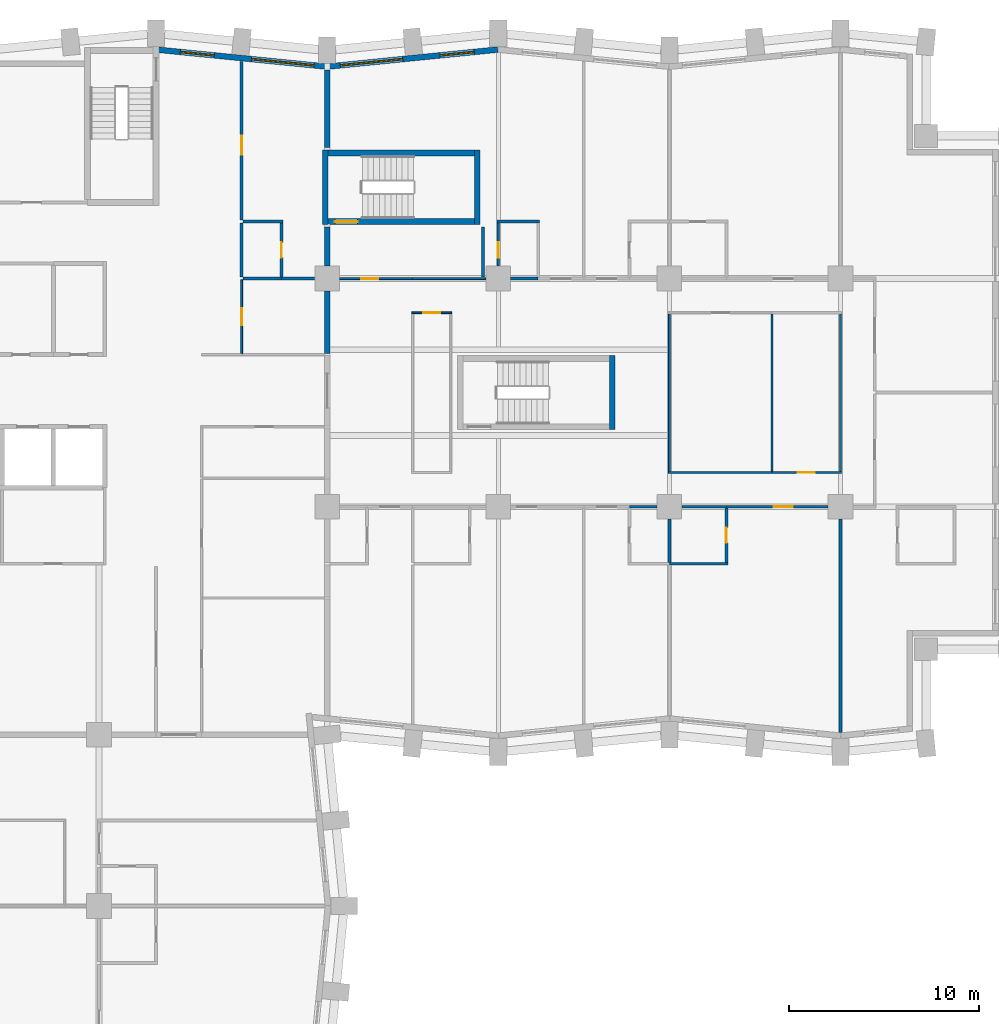
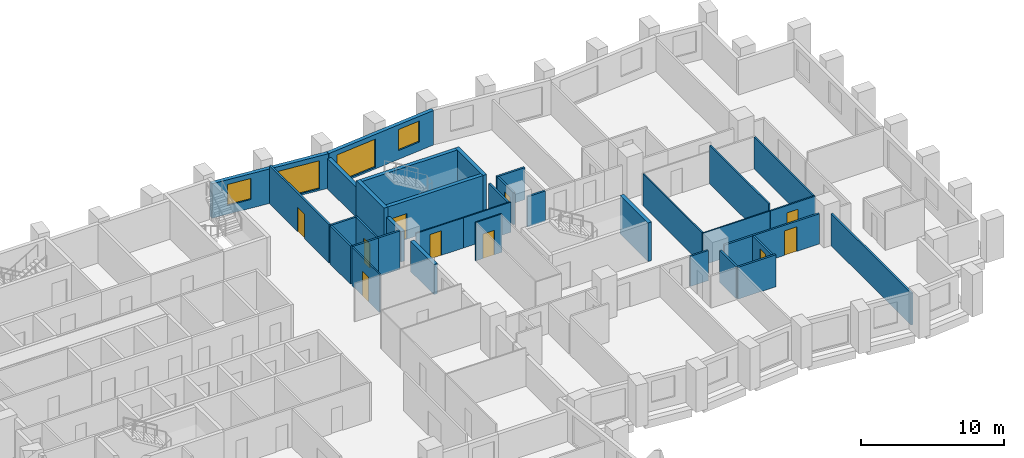
# One storey, part 8 of 12: 36 walls, 10 doors, 4 windows, 14 openings.
"""IFC4 building model written with IfcOpenShell, lengths in metres."""

from ifc_helpers import new_model, si_unit, direction, frame, frame_2d, origin, place, context, subcontext, project, spatial, rectangle, extrude, material, layer, layer_set, type_object, element, fill, save


model = new_model("IFC4")

# Units and contexts
model_context = context("Model", 3, precision=1e-05, world=origin(), true_north=direction((0.0, 1.0)))
body_context = subcontext(model_context, "Body", "Model", "MODEL_VIEW")
ifc_project = project(units=[si_unit("LENGTHUNIT", "METRE"), si_unit("AREAUNIT", "SQUARE_METRE"), si_unit("VOLUMEUNIT", "CUBIC_METRE"), si_unit("PLANEANGLEUNIT", "RADIAN"), si_unit("MASSUNIT", "GRAM", prefix="KILO")], contexts=[model_context])

# Site, building, storey
site_placement = place(None, origin())
site = spatial("IfcSite", under=ifc_project, at=site_placement, CompositionType="ELEMENT")
building_placement = place(site_placement, origin())
building = spatial("IfcBuilding", under=site, at=building_placement, Name="Brondeck Convention Tower", CompositionType="ELEMENT")
storey_placement = place(building_placement, frame((0.0, 0.0, 55.5)))
storey = spatial("IfcBuildingStorey", under=building, at=storey_placement, Name="L11", CompositionType="ELEMENT", Elevation=55.5)

# Walls
ifc_material_1 = material(Name="Concrete compartment wall C30/37", Category="concrete")
ifc_layer_1 = layer(ifc_material_1, 0.300048828125)
ifc_layer_set_1 = layer_set([ifc_layer_1], Name="Compartment wall 300")
wall_type_1 = type_object("IfcWallType", Name="Compartment wall 300", PredefinedType="PARTITIONING", material=ifc_layer_set_1)
wall_1_placement = place(storey_placement, frame((36.0, 50.344970703125, 0.0), z_axis=(0.0, 0.0, 1.0), x_axis=(0.0, -1.0, 0.0)))
element("IfcWall", 1, at=wall_1_placement, inside=storey, type_object=wall_type_1, Name="FLR-L11-W100", PredefinedType="PARTITIONING", context=body_context, shape_type="SweptSolid", body=[
    extrude(rectangle(XDim=3.294921875, YDim=0.300048828125, at=frame_2d((1.6474609375, 0.0))), origin(), (0.0, 0.0, 1.0), 2.580078125),
])
wall_2_placement = place(storey_placement, frame((36.0, 53.699951171875, 0.0), z_axis=(0.0, 0.0, 1.0), x_axis=(0.0, -1.0, 0.0)))
element("IfcWall", 2, at=wall_2_placement, inside=storey, type_object=wall_type_1, Name="FLR-L11-W117", PredefinedType="PARTITIONING", context=body_context, shape_type="SweptSolid", body=[
    extrude(rectangle(XDim=2.044921875, YDim=0.300048828125, at=frame_2d((1.0224609375, 0.0))), origin(), (0.0, 0.0, 1.0), 2.580078125),
])
wall_3_placement = place(storey_placement, frame((36.0, 61.97509765625, 0.0), z_axis=(0.0, 0.0, 1.0), x_axis=(0.0, -1.0, 0.0)))
element("IfcWall", 3, at=wall_3_placement, inside=storey, type_object=wall_type_1, Name="FLR-L11-W127", PredefinedType="PARTITIONING", context=body_context, shape_type="SweptSolid", body=[
    extrude(rectangle(XDim=4.0751953125, YDim=0.300048828125, at=frame_2d((2.03759765625, 0.0))), origin(), (0.0, 0.0, 1.0), 2.580078125),
])

# Wall, openings, windows
ifc_material_2 = material(Name="Precast concrete C50/60 bronze finish", Category="concrete")
ifc_layer_2 = layer(ifc_material_2, 0.070068359375, Name="Bronze precast facing")
ifc_material_3 = material(Name="Mineral wool")
ifc_layer_3 = layer(ifc_material_3, 0.159912109375, Name="Insulation")
ifc_material_4 = material(Name="Concrete C35/45", Category="concrete")
ifc_layer_4 = layer(ifc_material_4, 0.070068359375, Name="Backing")
ifc_layer_set_2 = layer_set([ifc_layer_2, ifc_layer_3, ifc_layer_4], Name="External infill wall, precast concrete C50/60 bronze facing")
wall_type_2 = type_object("IfcWallType", Name="External infill wall, precast concrete C50/60 bronze facing", PredefinedType="SOLIDWALL", material=ifc_layer_set_2)
wall_4_placement = place(storey_placement, frame((35.985107421875, 62.144287109375, 0.0), z_axis=(0.0, 0.0, 1.0), x_axis=(0.995037993253, 0.099495688264, 0.0)))
wall_4 = element("IfcWall", 4, at=wall_4_placement, inside=storey, type_object=wall_type_2, Name="ENV-EW-L11-P0-A-N-09", PredefinedType="SOLIDWALL", context=body_context, shape_type="SweptSolid", body=[
    extrude(rectangle(XDim=9.030029296875, YDim=0.300048828125, at=frame_2d((4.51513671875, 0.0))), origin(), (0.0, 0.0, 1.0), 2.949951171875),
])
opening_1_placement = place(wall_4_placement, frame((0.711181640625, 0.0, 0.14990234375)))
opening_1 = element("IfcOpeningElement", 5, at=opening_1_placement, cuts=wall_4, Name="Opening W9", PredefinedType="OPENING", context=body_context, shape_type="SweptSolid", body=[
    extrude(rectangle(XDim=3.300048828125, YDim=2.39990234375, at=frame_2d((1.64990234375, 1.199951171875))), frame((0.0, 0.159912109375, 0.0), z_axis=(0.0, -1.0, 0.0), x_axis=(1.0, 0.0, 0.0)), (0.0, 0.0, 1.0), 0.320068359375),
])
opening_2_placement = place(wall_4_placement, frame((5.983642578125, 0.0, 0.75)))
opening_2 = element("IfcOpeningElement", 6, at=opening_2_placement, cuts=wall_4, Name="Opening W10", PredefinedType="OPENING", context=body_context, shape_type="SweptSolid", body=[
    extrude(rectangle(XDim=1.800048828125, YDim=1.800048828125, at=frame_2d((0.89990234375, 0.89990234375))), frame((0.0, 0.159912109375, 0.0), z_axis=(0.0, -1.0, 0.0), x_axis=(1.0, 0.0, 0.0)), (0.0, 0.0, 1.0), 0.320068359375),
])
ifc_material_5 = material(Name="Bronze tinted double glazing", Category="glass")
window_type_1 = type_object("IfcWindowType", Name="Glazed flute window, bronze tinted", PartitioningType="SINGLE_PANEL", PredefinedType="WINDOW", material=ifc_material_5)
window_1_placement = place(opening_1_placement, origin())
window_1 = element("IfcWindow", 7, at=window_1_placement, inside=storey, type_object=window_type_1, Name="ENV-WN-L11-P0-A-N-08", OverallHeight=2.39990234375, OverallWidth=3.300048828125, PartitioningType="SINGLE_PANEL", PredefinedType="WINDOW", context=body_context, shape_type="SweptSolid", body=[
    extrude(rectangle(XDim=3.300048828125, YDim=2.39990234375, at=frame_2d((1.64990234375, 1.199951171875))), frame((0.0, 0.030029296875, 0.0), z_axis=(0.0, -1.0, 0.0), x_axis=(1.0, 0.0, 0.0)), (0.0, 0.0, 1.0), 0.06005859375),
])
fill(opening_1, window_1)
window_type_2 = type_object("IfcWindowType", Name="Punched window, bronze tinted", PartitioningType="SINGLE_PANEL", PredefinedType="WINDOW", material=ifc_material_5)
window_2_placement = place(opening_2_placement, origin())
window_2 = element("IfcWindow", 8, at=window_2_placement, inside=storey, type_object=window_type_2, Name="ENV-WN-L11-P0-A-N-09", OverallHeight=1.800048828125, OverallWidth=1.800048828125, PartitioningType="SINGLE_PANEL", PredefinedType="WINDOW", context=body_context, shape_type="SweptSolid", body=[
    extrude(rectangle(XDim=1.800048828125, YDim=1.800048828125, at=frame_2d((0.89990234375, 0.89990234375))), frame((0.0, 0.030029296875, 0.0), z_axis=(0.0, -1.0, 0.0), x_axis=(1.0, 0.0, 0.0)), (0.0, 0.0, 1.0), 0.06005859375),
])
fill(opening_2, window_2)

wall_5_placement = place(storey_placement, frame((27.064697265625, 63.039306640625, 0.0), z_axis=(0.0, 0.0, 1.0), x_axis=(0.995036379926, -0.099511821531, 0.0)))
wall_5 = element("IfcWall", 9, at=wall_5_placement, inside=storey, type_object=wall_type_2, Name="ENV-EW-L11-P0-A-N-07", PredefinedType="SOLIDWALL", context=body_context, shape_type="SweptSolid", body=[
    extrude(rectangle(XDim=8.949951171875, YDim=0.300048828125, at=frame_2d((4.47509765625, 0.0))), origin(), (0.0, 0.0, 1.0), 2.949951171875),
])
opening_3_placement = place(wall_5_placement, frame((1.211181640625, 0.0, 0.75)))
opening_3 = element("IfcOpeningElement", 10, at=opening_3_placement, cuts=wall_5, Name="Opening W10", PredefinedType="OPENING", context=body_context, shape_type="SweptSolid", body=[
    extrude(rectangle(XDim=1.800048828125, YDim=1.800048828125, at=frame_2d((0.89990234375, 0.89990234375))), frame((0.0, 0.159912109375, 0.0), z_axis=(0.0, -1.0, 0.0), x_axis=(1.0, 0.0, 0.0)), (0.0, 0.0, 1.0), 0.320068359375),
])
opening_4_placement = place(wall_5_placement, frame((4.983642578125, 0.0, 0.14990234375)))
opening_4 = element("IfcOpeningElement", 11, at=opening_4_placement, cuts=wall_5, Name="Opening W9", PredefinedType="OPENING", context=body_context, shape_type="SweptSolid", body=[
    extrude(rectangle(XDim=3.300048828125, YDim=2.39990234375, at=frame_2d((1.64990234375, 1.199951171875))), frame((0.0, 0.159912109375, 0.0), z_axis=(0.0, -1.0, 0.0), x_axis=(1.0, 0.0, 0.0)), (0.0, 0.0, 1.0), 0.320068359375),
])
window_3_placement = place(opening_4_placement, origin())
window_3 = element("IfcWindow", 12, at=window_3_placement, inside=storey, type_object=window_type_1, Name="ENV-WN-L11-P0-A-N-07", OverallHeight=2.39990234375, OverallWidth=3.300048828125, PartitioningType="SINGLE_PANEL", PredefinedType="WINDOW", context=body_context, shape_type="SweptSolid", body=[
    extrude(rectangle(XDim=3.300048828125, YDim=2.39990234375, at=frame_2d((1.64990234375, 1.199951171875))), frame((0.0, 0.030029296875, 0.0), z_axis=(0.0, -1.0, 0.0), x_axis=(1.0, 0.0, 0.0)), (0.0, 0.0, 1.0), 0.06005859375),
])
fill(opening_4, window_3)
window_4_placement = place(opening_3_placement, origin())
window_4 = element("IfcWindow", 13, at=window_4_placement, inside=storey, type_object=window_type_2, Name="ENV-WN-L11-P0-A-N-06", OverallHeight=1.800048828125, OverallWidth=1.800048828125, PartitioningType="SINGLE_PANEL", PredefinedType="WINDOW", context=body_context, shape_type="SweptSolid", body=[
    extrude(rectangle(XDim=1.800048828125, YDim=1.800048828125, at=frame_2d((0.89990234375, 0.89990234375))), frame((0.0, 0.030029296875, 0.0), z_axis=(0.0, -1.0, 0.0), x_axis=(1.0, 0.0, 0.0)), (0.0, 0.0, 1.0), 0.06005859375),
])
fill(opening_3, window_4)

# Wall
ifc_material_6 = material(Name="Double gypsum board acoustic wall")
ifc_layer_5 = layer(ifc_material_6, 0.14990234375)
ifc_layer_set_3 = layer_set([ifc_layer_5], Name="Guest room party wall 150")
wall_type_3 = type_object("IfcWallType", Name="Guest room party wall 150", PredefinedType="PARTITIONING", material=ifc_layer_set_3)
wall_6_placement = place(storey_placement, frame((54.0, 36.0, 0.0), z_axis=(0.0, 0.0, 1.0), x_axis=(1.0, 0.0, 0.0)))
element("IfcWall", 14, at=wall_6_placement, inside=storey, type_object=wall_type_3, Name="FLR-L11-W054", PredefinedType="PARTITIONING", context=body_context, shape_type="SweptSolid", body=[
    extrude(rectangle(XDim=3.074951171875, YDim=0.14990234375, at=frame_2d((1.53759765625, 0.0))), origin(), (0.0, 0.0, 1.0), 2.72998046875),
])

# Wall, opening, door
wall_7_placement = place(storey_placement, frame((57.0, 36.074951171875, 0.0), z_axis=(0.0, 0.0, 1.0), x_axis=(0.0, 1.0, 0.0)))
wall_7 = element("IfcWall", 15, at=wall_7_placement, inside=storey, type_object=wall_type_3, Name="FLR-L11-W058", PredefinedType="PARTITIONING", context=body_context, shape_type="SweptSolid", body=[
    extrude(rectangle(XDim=2.85009765625, YDim=0.14990234375, at=frame_2d((1.425048828125, 0.0))), origin(), (0.0, 0.0, 1.0), 2.580078125),
])
opening_5_placement = place(wall_7_placement, frame((1.02490234375, 0.0, 0.0)))
opening_5 = element("IfcOpeningElement", 16, at=opening_5_placement, cuts=wall_7, Name="Opening H2-015", PredefinedType="OPENING", context=body_context, shape_type="SweptSolid", body=[
    extrude(rectangle(XDim=0.800048828125, YDim=2.10009765625, at=frame_2d((0.39990234375, 1.050048828125))), frame((0.0, 0.0849609375, 0.0), z_axis=(0.0, -1.0, 0.0), x_axis=(1.0, 0.0, 0.0)), (0.0, 0.0, 1.0), 0.169921875),
])
ifc_material_7 = material(Name="Solid timber door leaf", Category="wood")
door_type_1 = type_object("IfcDoorType", Name="En-suite door 800", OperationType="NOTDEFINED", PredefinedType="DOOR", material=ifc_material_7)
door_1_placement = place(opening_5_placement, origin())
door_1 = element("IfcDoor", 17, at=door_1_placement, inside=storey, type_object=door_type_1, Name="Door H2-015", OperationType="SINGLE_SWING_RIGHT", OverallHeight=2.10009765625, OverallWidth=0.800048828125, PredefinedType="DOOR", context=body_context, shape_type="SweptSolid", body=[
    extrude(rectangle(XDim=0.800048828125, YDim=2.10009765625, at=frame_2d((0.39990234375, 1.050048828125))), frame((0.0, 0.02490234375, 0.0), z_axis=(0.0, -1.0, 0.0), x_axis=(1.0, 0.0, 0.0)), (0.0, 0.0, 1.0), 0.050048828125),
])
fill(opening_5, door_1)

# Walls
wall_8_placement = place(storey_placement, frame((54.0, 38.344970703125, 0.0), z_axis=(0.0, 0.0, 1.0), x_axis=(0.0, -1.0, 0.0)))
element("IfcWall", 18, at=wall_8_placement, inside=storey, type_object=wall_type_3, Name="FLR-L11-W061", PredefinedType="PARTITIONING", context=body_context, shape_type="SweptSolid", body=[
    extrude(rectangle(XDim=2.27001953125, YDim=0.14990234375, at=frame_2d((1.135009765625, 0.0))), origin(), (0.0, 0.0, 1.0), 2.72998046875),
])
wall_9_placement = place(storey_placement, frame((63.0, 38.344970703125, 0.0), z_axis=(0.0, 0.0, 1.0), x_axis=(0.0, -1.0, 0.0)))
element("IfcWall", 19, at=wall_9_placement, inside=storey, type_object=wall_type_3, Name="FLR-L11-W062", PredefinedType="PARTITIONING", context=body_context, shape_type="SweptSolid", body=[
    extrude(rectangle(XDim=11.219970703125, YDim=0.14990234375, at=frame_2d((5.60986328125, 0.0))), origin(), (0.0, 0.0, 1.0), 2.72998046875),
])
wall_10_placement = place(storey_placement, frame((53.344970703125, 39.0, 0.0), z_axis=(0.0, 0.0, 1.0), x_axis=(-1.0, 0.0, 0.0)))
element("IfcWall", 20, at=wall_10_placement, inside=storey, type_object=wall_type_3, Name="FLR-L11-W073", PredefinedType="PARTITIONING", context=body_context, shape_type="SweptSolid", body=[
    extrude(rectangle(XDim=1.445068359375, YDim=0.14990234375, at=frame_2d((0.72265625, 0.0))), origin(), (0.0, 0.0, 1.0), 2.580078125),
])
wall_11_placement = place(storey_placement, frame((57.0, 39.0, 0.0), z_axis=(0.0, 0.0, 1.0), x_axis=(-1.0, 0.0, 0.0)))
element("IfcWall", 21, at=wall_11_placement, inside=storey, type_object=wall_type_3, Name="FLR-L11-W074", PredefinedType="PARTITIONING", context=body_context, shape_type="SweptSolid", body=[
    extrude(rectangle(XDim=2.344970703125, YDim=0.14990234375, at=frame_2d((1.17236328125, 0.0))), origin(), (0.0, 0.0, 1.0), 2.580078125),
])

# Wall, opening, door
wall_12_placement = place(storey_placement, frame((62.344970703125, 39.0, 0.0), z_axis=(0.0, 0.0, 1.0), x_axis=(-1.0, 0.0, 0.0)))
wall_12 = element("IfcWall", 22, at=wall_12_placement, inside=storey, type_object=wall_type_3, Name="FLR-L11-W075", PredefinedType="PARTITIONING", context=body_context, shape_type="SweptSolid", body=[
    extrude(rectangle(XDim=5.344970703125, YDim=0.14990234375, at=frame_2d((2.67236328125, 0.0))), origin(), (0.0, 0.0, 1.0), 2.580078125),
])
opening_6_placement = place(wall_12_placement, frame((1.844970703125, 0.0, 0.0)))
opening_6 = element("IfcOpeningElement", 23, at=opening_6_placement, cuts=wall_12, Name="Opening H2-014", PredefinedType="OPENING", context=body_context, shape_type="SweptSolid", body=[
    extrude(rectangle(XDim=1.0, YDim=2.10009765625, at=frame_2d((0.5, 1.050048828125))), frame((0.0, 0.0849609375, 0.0), z_axis=(0.0, -1.0, 0.0), x_axis=(1.0, 0.0, 0.0)), (0.0, 0.0, 1.0), 0.169921875),
])
ifc_material_8 = material(Name="Solid timber fire door leaf", Category="wood")
door_type_2 = type_object("IfcDoorType", Name="Guest room door 1000", OperationType="NOTDEFINED", PredefinedType="DOOR", material=ifc_material_8)
door_2_placement = place(opening_6_placement, origin())
door_2 = element("IfcDoor", 24, at=door_2_placement, inside=storey, type_object=door_type_2, Name="Door H2-014", OperationType="SINGLE_SWING_RIGHT", OverallHeight=2.10009765625, OverallWidth=1.0, PredefinedType="DOOR", context=body_context, shape_type="SweptSolid", body=[
    extrude(rectangle(XDim=1.0, YDim=2.10009765625, at=frame_2d((0.5, 1.050048828125))), frame((0.0, 0.02490234375, 0.0), z_axis=(0.0, -1.0, 0.0), x_axis=(1.0, 0.0, 0.0)), (0.0, 0.0, 1.0), 0.050048828125),
])
fill(opening_6, door_2)

# Walls
wall_13_placement = place(storey_placement, frame((31.574951171875, 51.0, 0.0), z_axis=(0.0, 0.0, 1.0), x_axis=(1.0, 0.0, 0.0)))
element("IfcWall", 25, at=wall_13_placement, inside=storey, type_object=wall_type_3, Name="FLR-L11-W103", PredefinedType="PARTITIONING", context=body_context, shape_type="SweptSolid", body=[
    extrude(rectangle(XDim=2.025146484375, YDim=0.14990234375, at=frame_2d((1.0126953125, 0.0))), origin(), (0.0, 0.0, 1.0), 3.280029296875),
])
wall_14_placement = place(storey_placement, frame((33.60009765625, 51.0, 0.0), z_axis=(0.0, 0.0, 1.0), x_axis=(1.0, 0.0, 0.0)))
element("IfcWall", 26, at=wall_14_placement, inside=storey, type_object=wall_type_3, Name="FLR-L11-W104", PredefinedType="PARTITIONING", context=body_context, shape_type="SweptSolid", body=[
    extrude(rectangle(XDim=1.744873046875, YDim=0.14990234375, at=frame_2d((0.87255859375, 0.0))), origin(), (0.0, 0.0, 1.0), 3.280029296875),
])
wall_15_placement = place(storey_placement, frame((45.655029296875, 51.0, 0.0), z_axis=(0.0, 0.0, 1.0), x_axis=(1.0, 0.0, 0.0)))
element("IfcWall", 27, at=wall_15_placement, inside=storey, type_object=wall_type_3, Name="FLR-L11-W107", PredefinedType="PARTITIONING", context=body_context, shape_type="SweptSolid", body=[
    extrude(rectangle(XDim=1.445068359375, YDim=0.14990234375, at=frame_2d((0.72265625, 0.0))), origin(), (0.0, 0.0, 1.0), 2.580078125),
])

# Wall, opening, door
wall_16_placement = place(storey_placement, frame((33.60009765625, 51.074951171875, 0.0), z_axis=(0.0, 0.0, 1.0), x_axis=(0.0, 1.0, 0.0)))
wall_16 = element("IfcWall", 28, at=wall_16_placement, inside=storey, type_object=wall_type_3, Name="FLR-L11-W114", PredefinedType="PARTITIONING", context=body_context, shape_type="SweptSolid", body=[
    extrude(rectangle(XDim=2.85009765625, YDim=0.14990234375, at=frame_2d((1.425048828125, 0.0))), origin(), (0.0, 0.0, 1.0), 3.280029296875),
])
opening_7_placement = place(wall_16_placement, frame((1.02490234375, 0.0, 0.0)))
opening_7 = element("IfcOpeningElement", 29, at=opening_7_placement, cuts=wall_16, Name="Opening H2-034", PredefinedType="OPENING", context=body_context, shape_type="SweptSolid", body=[
    extrude(rectangle(XDim=0.800048828125, YDim=2.10009765625, at=frame_2d((0.39990234375, 1.050048828125))), frame((0.0, 0.0849609375, 0.0), z_axis=(0.0, -1.0, 0.0), x_axis=(1.0, 0.0, 0.0)), (0.0, 0.0, 1.0), 0.169921875),
])
door_3_placement = place(opening_7_placement, origin())
door_3 = element("IfcDoor", 30, at=door_3_placement, inside=storey, type_object=door_type_1, Name="Door H2-034", OperationType="SINGLE_SWING_LEFT", OverallHeight=2.10009765625, OverallWidth=0.800048828125, PredefinedType="DOOR", context=body_context, shape_type="SweptSolid", body=[
    extrude(rectangle(XDim=0.800048828125, YDim=2.10009765625, at=frame_2d((0.39990234375, 1.050048828125))), frame((0.0, 0.02490234375, 0.0), z_axis=(0.0, -1.0, 0.0), x_axis=(1.0, 0.0, 0.0)), (0.0, 0.0, 1.0), 0.050048828125),
])
fill(opening_7, door_3)

# Walls
wall_17_placement = place(storey_placement, frame((44.199951171875, 53.699951171875, 0.0), z_axis=(0.0, 0.0, 1.0), x_axis=(0.0, -1.0, 0.0)))
element("IfcWall", 31, at=wall_17_placement, inside=storey, type_object=wall_type_3, Name="FLR-L11-W118", PredefinedType="PARTITIONING", context=body_context, shape_type="SweptSolid", body=[
    extrude(rectangle(XDim=2.625, YDim=0.14990234375, at=frame_2d((1.3125, 0.0))), origin(), (0.0, 0.0, 1.0), 2.580078125),
])
wall_18_placement = place(storey_placement, frame((31.5, 53.925048828125, 0.0), z_axis=(0.0, 0.0, 1.0), x_axis=(0.0, -1.0, 0.0)))
element("IfcWall", 32, at=wall_18_placement, inside=storey, type_object=wall_type_3, Name="FLR-L11-W119", PredefinedType="PARTITIONING", context=body_context, shape_type="SweptSolid", body=[
    extrude(rectangle(XDim=2.85009765625, YDim=0.14990234375, at=frame_2d((1.425048828125, 0.0))), origin(), (0.0, 0.0, 1.0), 3.280029296875),
])

# Wall, opening, door
wall_19_placement = place(storey_placement, frame((45.0, 53.925048828125, 0.0), z_axis=(0.0, 0.0, 1.0), x_axis=(0.0, -1.0, 0.0)))
wall_19 = element("IfcWall", 33, at=wall_19_placement, inside=storey, type_object=wall_type_3, Name="FLR-L11-W120", PredefinedType="PARTITIONING", context=body_context, shape_type="SweptSolid", body=[
    extrude(rectangle(XDim=2.27001953125, YDim=0.14990234375, at=frame_2d((1.135009765625, 0.0))), origin(), (0.0, 0.0, 1.0), 2.72998046875),
])
opening_8_placement = place(wall_19_placement, frame((1.02490234375, 0.0, 0.0)))
opening_8 = element("IfcOpeningElement", 34, at=opening_8_placement, cuts=wall_19, Name="Opening H2-003", PredefinedType="OPENING", context=body_context, shape_type="SweptSolid", body=[
    extrude(rectangle(XDim=0.800048828125, YDim=2.10009765625, at=frame_2d((0.39990234375, 1.050048828125))), frame((0.0, 0.0849609375, 0.0), z_axis=(0.0, -1.0, 0.0), x_axis=(1.0, 0.0, 0.0)), (0.0, 0.0, 1.0), 0.169921875),
])
door_4_placement = place(opening_8_placement, origin())
door_4 = element("IfcDoor", 35, at=door_4_placement, inside=storey, type_object=door_type_1, Name="Door H2-003", OperationType="SINGLE_SWING_RIGHT", OverallHeight=2.10009765625, OverallWidth=0.800048828125, PredefinedType="DOOR", context=body_context, shape_type="SweptSolid", body=[
    extrude(rectangle(XDim=0.800048828125, YDim=2.10009765625, at=frame_2d((0.39990234375, 1.050048828125))), frame((0.0, 0.02490234375, 0.0), z_axis=(0.0, -1.0, 0.0), x_axis=(1.0, 0.0, 0.0)), (0.0, 0.0, 1.0), 0.050048828125),
])
fill(opening_8, door_4)

# Walls
wall_20_placement = place(storey_placement, frame((33.675048828125, 54.0, 0.0), z_axis=(0.0, 0.0, 1.0), x_axis=(-1.0, 0.0, 0.0)))
element("IfcWall", 36, at=wall_20_placement, inside=storey, type_object=wall_type_3, Name="FLR-L11-W123", PredefinedType="PARTITIONING", context=body_context, shape_type="SweptSolid", body=[
    extrude(rectangle(XDim=2.10009765625, YDim=0.14990234375, at=frame_2d((1.050048828125, 0.0))), origin(), (0.0, 0.0, 1.0), 3.280029296875),
])
wall_21_placement = place(storey_placement, frame((47.175048828125, 54.0, 0.0), z_axis=(0.0, 0.0, 1.0), x_axis=(-1.0, 0.0, 0.0)))
element("IfcWall", 37, at=wall_21_placement, inside=storey, type_object=wall_type_3, Name="FLR-L11-W124", PredefinedType="PARTITIONING", context=body_context, shape_type="SweptSolid", body=[
    extrude(rectangle(XDim=2.25, YDim=0.14990234375, at=frame_2d((1.125, 0.0))), origin(), (0.0, 0.0, 1.0), 2.72998046875),
])

# Wall, opening, door
wall_22_placement = place(storey_placement, frame((31.5, 62.425048828125, 0.0), z_axis=(0.0, 0.0, 1.0), x_axis=(0.0, -1.0, 0.0)))
wall_22 = element("IfcWall", 38, at=wall_22_placement, inside=storey, type_object=wall_type_3, Name="FLR-L11-W129", PredefinedType="PARTITIONING", context=body_context, shape_type="SweptSolid", body=[
    extrude(rectangle(XDim=8.35009765625, YDim=0.14990234375, at=frame_2d((4.175048828125, 0.0))), origin(), (0.0, 0.0, 1.0), 3.280029296875),
])
opening_9_placement = place(wall_22_placement, frame((3.925048828125, 0.0, 0.0)))
opening_9 = element("IfcOpeningElement", 39, at=opening_9_placement, cuts=wall_22, Name="Opening H2-033", PredefinedType="OPENING", context=body_context, shape_type="SweptSolid", body=[
    extrude(rectangle(XDim=1.0, YDim=2.10009765625, at=frame_2d((0.5, 1.050048828125))), frame((0.0, 0.0849609375, 0.0), z_axis=(0.0, -1.0, 0.0), x_axis=(1.0, 0.0, 0.0)), (0.0, 0.0, 1.0), 0.169921875),
])
door_5_placement = place(opening_9_placement, origin())
door_5 = element("IfcDoor", 40, at=door_5_placement, inside=storey, type_object=door_type_2, Name="Door H2-033", OperationType="SINGLE_SWING_LEFT", OverallHeight=2.10009765625, OverallWidth=1.0, PredefinedType="DOOR", context=body_context, shape_type="SweptSolid", body=[
    extrude(rectangle(XDim=1.0, YDim=2.10009765625, at=frame_2d((0.5, 1.050048828125))), frame((0.0, 0.02490234375, 0.0), z_axis=(0.0, -1.0, 0.0), x_axis=(1.0, 0.0, 0.0)), (0.0, 0.0, 1.0), 0.050048828125),
])
fill(opening_9, door_5)

ifc_material_9 = material(Name="Gypsum board shaft wall on steel studs", Category="steel")
ifc_layer_6 = layer(ifc_material_9, 0.125)
ifc_layer_set_4 = layer_set([ifc_layer_6], Name="Riser wall 125")
wall_type_4 = type_object("IfcWallType", Name="Riser wall 125", PredefinedType="PARTITIONING", material=ifc_layer_set_4)
wall_23_placement = place(storey_placement, frame((59.39990234375, 40.800048828125, 0.0), z_axis=(0.0, 0.0, 1.0), x_axis=(1.0, 0.0, 0.0)))
wall_23 = element("IfcWall", 41, at=wall_23_placement, inside=storey, type_object=wall_type_4, Name="FLR-L11-W083", PredefinedType="PARTITIONING", context=body_context, shape_type="SweptSolid", body=[
    extrude(rectangle(XDim=3.66259765625, YDim=0.125, at=frame_2d((1.831298828125, 0.0))), origin(), (0.0, 0.0, 1.0), 2.72998046875),
])
opening_10_placement = place(wall_23_placement, frame((1.35009765625, 0.0, 0.0)))
opening_10 = element("IfcOpeningElement", 42, at=opening_10_placement, cuts=wall_23, Name="Opening H2-018", PredefinedType="OPENING", context=body_context, shape_type="SweptSolid", body=[
    extrude(rectangle(XDim=0.89990234375, YDim=2.10009765625, at=frame_2d((0.449951171875, 1.050048828125))), frame((0.0, 0.072509765625, 0.0), z_axis=(0.0, -1.0, 0.0), x_axis=(1.0, 0.0, 0.0)), (0.0, 0.0, 1.0), 0.14501953125),
])
door_type_3 = type_object("IfcDoorType", Name="Single door 900", OperationType="NOTDEFINED", PredefinedType="DOOR", material=ifc_material_7)
door_6_placement = place(opening_10_placement, origin())
door_6 = element("IfcDoor", 43, at=door_6_placement, inside=storey, type_object=door_type_3, Name="Door H2-018", OperationType="SINGLE_SWING_RIGHT", OverallHeight=2.10009765625, OverallWidth=0.89990234375, PredefinedType="DOOR", context=body_context, shape_type="SweptSolid", body=[
    extrude(rectangle(XDim=0.89990234375, YDim=2.10009765625, at=frame_2d((0.449951171875, 1.050048828125))), frame((0.0, 0.02490234375, 0.0), z_axis=(0.0, -1.0, 0.0), x_axis=(1.0, 0.0, 0.0)), (0.0, 0.0, 1.0), 0.050048828125),
])
fill(opening_10, door_6)

# Walls
wall_24_placement = place(storey_placement, frame((63.0, 40.862548828125, 0.0), z_axis=(0.0, 0.0, 1.0), x_axis=(0.0, 1.0, 0.0)))
element("IfcWall", 44, at=wall_24_placement, inside=storey, type_object=wall_type_4, Name="FLR-L11-W084", PredefinedType="PARTITIONING", context=body_context, shape_type="SweptSolid", body=[
    extrude(rectangle(XDim=8.27490234375, YDim=0.125, at=frame_2d((4.137451171875, 0.0))), origin(), (0.0, 0.0, 1.0), 2.72998046875),
])
wall_25_placement = place(storey_placement, frame((59.39990234375, 49.137451171875, 0.0), z_axis=(0.0, 0.0, 1.0), x_axis=(0.0, -1.0, 0.0)))
element("IfcWall", 45, at=wall_25_placement, inside=storey, type_object=wall_type_4, Name="FLR-L11-W093", PredefinedType="PARTITIONING", context=body_context, shape_type="SweptSolid", body=[
    extrude(rectangle(XDim=8.27490234375, YDim=0.125, at=frame_2d((4.137451171875, 0.0))), origin(), (0.0, 0.0, 1.0), 3.280029296875),
])
ifc_material_10 = material(Name="Gypsum board partition on steel studs", Category="steel")
ifc_layer_7 = layer(ifc_material_10, 0.10009765625)
ifc_layer_set_5 = layer_set([ifc_layer_7], Name="Room partition 100")
wall_type_5 = type_object("IfcWallType", Name="Room partition 100", PredefinedType="PARTITIONING", material=ifc_layer_set_5)
wall_26_placement = place(storey_placement, frame((53.949951171875, 40.800048828125, 0.0), z_axis=(0.0, 0.0, 1.0), x_axis=(1.0, 0.0, 0.0)))
element("IfcWall", 46, at=wall_26_placement, inside=storey, type_object=wall_type_5, Name="FLR-L11-W082", PredefinedType="PARTITIONING", context=body_context, shape_type="SweptSolid", body=[
    extrude(rectangle(XDim=5.449951171875, YDim=0.10009765625, at=frame_2d((2.72509765625, 0.0))), origin(), (0.0, 0.0, 1.0), 2.72998046875),
])
wall_27_placement = place(storey_placement, frame((54.0, 49.14990234375, 0.0), z_axis=(0.0, 0.0, 1.0), x_axis=(0.0, -1.0, 0.0)))
element("IfcWall", 47, at=wall_27_placement, inside=storey, type_object=wall_type_5, Name="FLR-L11-W096", PredefinedType="PARTITIONING", context=body_context, shape_type="SweptSolid", body=[
    extrude(rectangle(XDim=8.2998046875, YDim=0.10009765625, at=frame_2d((4.14990234375, 0.0))), origin(), (0.0, 0.0, 1.0), 2.72998046875),
])

# Wall, opening, door
wall_28_placement = place(storey_placement, frame((42.550048828125, 49.199951171875, 0.0), z_axis=(0.0, 0.0, 1.0), x_axis=(-1.0, 0.0, 0.0)))
wall_28 = element("IfcWall", 48, at=wall_28_placement, inside=storey, type_object=wall_type_5, Name="FLR-L11-W097", PredefinedType="PARTITIONING", context=body_context, shape_type="SweptSolid", body=[
    extrude(rectangle(XDim=2.10009765625, YDim=0.10009765625, at=frame_2d((1.050048828125, 0.0))), origin(), (0.0, 0.0, 1.0), 3.280029296875),
])
opening_11_placement = place(wall_28_placement, frame((0.60009765625, 0.0, 0.0)))
opening_11 = element("IfcOpeningElement", 49, at=opening_11_placement, cuts=wall_28, Name="Opening H2-016", PredefinedType="OPENING", context=body_context, shape_type="SweptSolid", body=[
    extrude(rectangle(XDim=0.89990234375, YDim=2.10009765625, at=frame_2d((0.449951171875, 1.050048828125))), frame((0.0, 0.06005859375, 0.0), z_axis=(0.0, -1.0, 0.0), x_axis=(1.0, 0.0, 0.0)), (0.0, 0.0, 1.0), 0.1201171875),
])
door_7_placement = place(opening_11_placement, origin())
door_7 = element("IfcDoor", 50, at=door_7_placement, inside=storey, type_object=door_type_3, Name="Door H2-016", OperationType="SINGLE_SWING_LEFT", OverallHeight=2.10009765625, OverallWidth=0.89990234375, PredefinedType="DOOR", context=body_context, shape_type="SweptSolid", body=[
    extrude(rectangle(XDim=0.89990234375, YDim=2.10009765625, at=frame_2d((0.449951171875, 1.050048828125))), frame((0.0, 0.02490234375, 0.0), z_axis=(0.0, -1.0, 0.0), x_axis=(1.0, 0.0, 0.0)), (0.0, 0.0, 1.0), 0.050048828125),
])
fill(opening_11, door_7)

wall_29_placement = place(storey_placement, frame((31.5, 50.925048828125, 0.0), z_axis=(0.0, 0.0, 1.0), x_axis=(0.0, -1.0, 0.0)))
wall_29 = element("IfcWall", 51, at=wall_29_placement, inside=storey, type_object=wall_type_5, Name="FLR-L11-W101", PredefinedType="PARTITIONING", context=body_context, shape_type="SweptSolid", body=[
    extrude(rectangle(XDim=3.875, YDim=0.10009765625, at=frame_2d((1.9375, 0.0))), origin(), (0.0, 0.0, 1.0), 3.280029296875),
])
opening_12_placement = place(wall_29_placement, frame((1.47509765625, 0.0, 0.0)))
opening_12 = element("IfcOpeningElement", 52, at=opening_12_placement, cuts=wall_29, Name="Opening H2-035", PredefinedType="OPENING", context=body_context, shape_type="SweptSolid", body=[
    extrude(rectangle(XDim=0.89990234375, YDim=2.10009765625, at=frame_2d((0.449951171875, 1.050048828125))), frame((0.0, 0.06005859375, 0.0), z_axis=(0.0, -1.0, 0.0), x_axis=(1.0, 0.0, 0.0)), (0.0, 0.0, 1.0), 0.1201171875),
])
door_8_placement = place(opening_12_placement, origin())
door_8 = element("IfcDoor", 53, at=door_8_placement, inside=storey, type_object=door_type_3, Name="Door H2-035", OperationType="SINGLE_SWING_LEFT", OverallHeight=2.10009765625, OverallWidth=0.89990234375, PredefinedType="DOOR", context=body_context, shape_type="SweptSolid", body=[
    extrude(rectangle(XDim=0.89990234375, YDim=2.10009765625, at=frame_2d((0.449951171875, 1.050048828125))), frame((0.0, 0.02490234375, 0.0), z_axis=(0.0, -1.0, 0.0), x_axis=(1.0, 0.0, 0.0)), (0.0, 0.0, 1.0), 0.050048828125),
])
fill(opening_12, door_8)

wall_30_placement = place(storey_placement, frame((40.5, 51.0, 0.0), z_axis=(0.0, 0.0, 1.0), x_axis=(-1.0, 0.0, 0.0)))
wall_30 = element("IfcWall", 54, at=wall_30_placement, inside=storey, type_object=wall_type_5, Name="FLR-L11-W105", PredefinedType="PARTITIONING", context=body_context, shape_type="SweptSolid", body=[
    extrude(rectangle(XDim=3.844970703125, YDim=0.10009765625, at=frame_2d((1.92236328125, 0.0))), origin(), (0.0, 0.0, 1.0), 2.580078125),
])
opening_13_placement = place(wall_30_placement, frame((1.800048828125, 0.0, 0.0)))
opening_13 = element("IfcOpeningElement", 55, at=opening_13_placement, cuts=wall_30, Name="Opening H2-001", PredefinedType="OPENING", context=body_context, shape_type="SweptSolid", body=[
    extrude(rectangle(XDim=0.89990234375, YDim=2.10009765625, at=frame_2d((0.449951171875, 1.050048828125))), frame((0.0, 0.06005859375, 0.0), z_axis=(0.0, -1.0, 0.0), x_axis=(1.0, 0.0, 0.0)), (0.0, 0.0, 1.0), 0.1201171875),
])
door_9_placement = place(opening_13_placement, origin())
door_9 = element("IfcDoor", 56, at=door_9_placement, inside=storey, type_object=door_type_3, Name="Door H2-001", OperationType="SINGLE_SWING_LEFT", OverallHeight=2.10009765625, OverallWidth=0.89990234375, PredefinedType="DOOR", context=body_context, shape_type="SweptSolid", body=[
    extrude(rectangle(XDim=0.89990234375, YDim=2.10009765625, at=frame_2d((0.449951171875, 1.050048828125))), frame((0.0, 0.02490234375, 0.0), z_axis=(0.0, -1.0, 0.0), x_axis=(1.0, 0.0, 0.0)), (0.0, 0.0, 1.0), 0.050048828125),
])
fill(opening_13, door_9)

# Wall
wall_31_placement = place(storey_placement, frame((44.330078125, 51.0, 0.0), z_axis=(0.0, 0.0, 1.0), x_axis=(-1.0, 0.0, 0.0)))
element("IfcWall", 57, at=wall_31_placement, inside=storey, type_object=wall_type_5, Name="FLR-L11-W106", PredefinedType="PARTITIONING", context=body_context, shape_type="SweptSolid", body=[
    extrude(rectangle(XDim=3.830078125, YDim=0.10009765625, at=frame_2d((1.9150390625, 0.0))), origin(), (0.0, 0.0, 1.0), 2.580078125),
])

# Wall, opening, door
ifc_material_11 = material(Name="Concrete C80/95", Category="concrete")
ifc_layer_8 = layer(ifc_material_11, 0.300048828125)
ifc_layer_set_6 = layer_set([ifc_layer_8], Name="Stair enclosure wall 300 Concrete C80/95")
wall_type_6 = type_object("IfcWallType", Name="Stair enclosure wall 300 Concrete C80/95", PredefinedType="SHEAR", material=ifc_layer_set_6)
wall_32_placement = place(storey_placement, frame((36.050048828125, 54.0, 0.0), z_axis=(0.0, 0.0, 1.0), x_axis=(1.0, 0.0, 0.0)))
wall_32 = element("IfcWall", 58, at=wall_32_placement, inside=storey, type_object=wall_type_6, Name="L11 core wall", PredefinedType="SHEAR", context=body_context, shape_type="SweptSolid", body=[
    extrude(rectangle(XDim=7.699951171875, YDim=0.300048828125, at=frame_2d((3.85009765625, 0.0))), origin(), (0.0, 0.0, 1.0), 3.300048828125),
])
opening_14_placement = place(wall_32_placement, frame((0.35009765625, 0.0, 0.0)))
opening_14 = element("IfcOpeningElement", 59, at=opening_14_placement, cuts=wall_32, Name="Opening C09-18", PredefinedType="OPENING", context=body_context, shape_type="SweptSolid", body=[
    extrude(rectangle(XDim=1.199951171875, YDim=2.199951171875, at=frame_2d((0.60009765625, 1.10009765625))), frame((0.0, 0.159912109375, 0.0), z_axis=(0.0, -1.0, 0.0), x_axis=(1.0, 0.0, 0.0)), (0.0, 0.0, 1.0), 0.320068359375),
])
ifc_material_12 = material(Name="Steel fire door", Category="steel")
door_type_4 = type_object("IfcDoorType", Name="Stair door 1200x2200 EI 90", OperationType="NOTDEFINED", PredefinedType="DOOR", material=ifc_material_12)
door_10_placement = place(opening_14_placement, origin())
door_10 = element("IfcDoor", 60, at=door_10_placement, inside=storey, type_object=door_type_4, Name="L11 Stair door ST-AE", OperationType="SINGLE_SWING_LEFT", OverallHeight=2.199951171875, OverallWidth=1.199951171875, PredefinedType="DOOR", context=body_context, shape_type="SweptSolid", body=[
    extrude(rectangle(XDim=1.199951171875, YDim=2.199951171875, at=frame_2d((0.60009765625, 1.10009765625))), frame((0.0, 0.02490234375, 0.0), z_axis=(0.0, -1.0, 0.0), x_axis=(1.0, 0.0, 0.0)), (0.0, 0.0, 1.0), 0.050048828125),
])
fill(opening_14, door_10)

# Walls
wall_33_placement = place(storey_placement, frame((36.050048828125, 57.60009765625, 0.0), z_axis=(0.0, 0.0, 1.0), x_axis=(1.0, 0.0, 0.0)))
element("IfcWall", 61, at=wall_33_placement, inside=storey, type_object=wall_type_6, Name="L11 core wall", PredefinedType="SHEAR", context=body_context, shape_type="SweptSolid", body=[
    extrude(rectangle(XDim=7.699951171875, YDim=0.300048828125, at=frame_2d((3.85009765625, 0.0))), origin(), (0.0, 0.0, 1.0), 3.300048828125),
])
for number, where, z_axis, x_axis, name in (
    (62, (35.89990234375, 53.85009765625, 0.0), (0.0, 0.0, 1.0), (0.0, 1.0, 0.0), "L11 core wall"),
    (63, (43.89990234375, 53.85009765625, 0.0), (0.0, 0.0, 1.0), (0.0, 1.0, 0.0), "L11 core wall"),
    (64, (51.0, 43.050048828125, 0.0), (0.0, 0.0, 1.0), (0.0, 1.0, 0.0), "L11 core wall"),
):
    element("IfcWall", number, at=place(storey_placement, frame(where, z_axis=z_axis, x_axis=x_axis)), inside=storey, type_object=wall_type_6, Name=name, PredefinedType="SHEAR", context=body_context, shape_type="SweptSolid", body=[
        extrude(rectangle(XDim=3.89990234375, YDim=0.300048828125, at=frame_2d((1.949951171875, 0.0))), origin(), (0.0, 0.0, 1.0), 3.300048828125),
    ])

save(model, "model.ifc")
